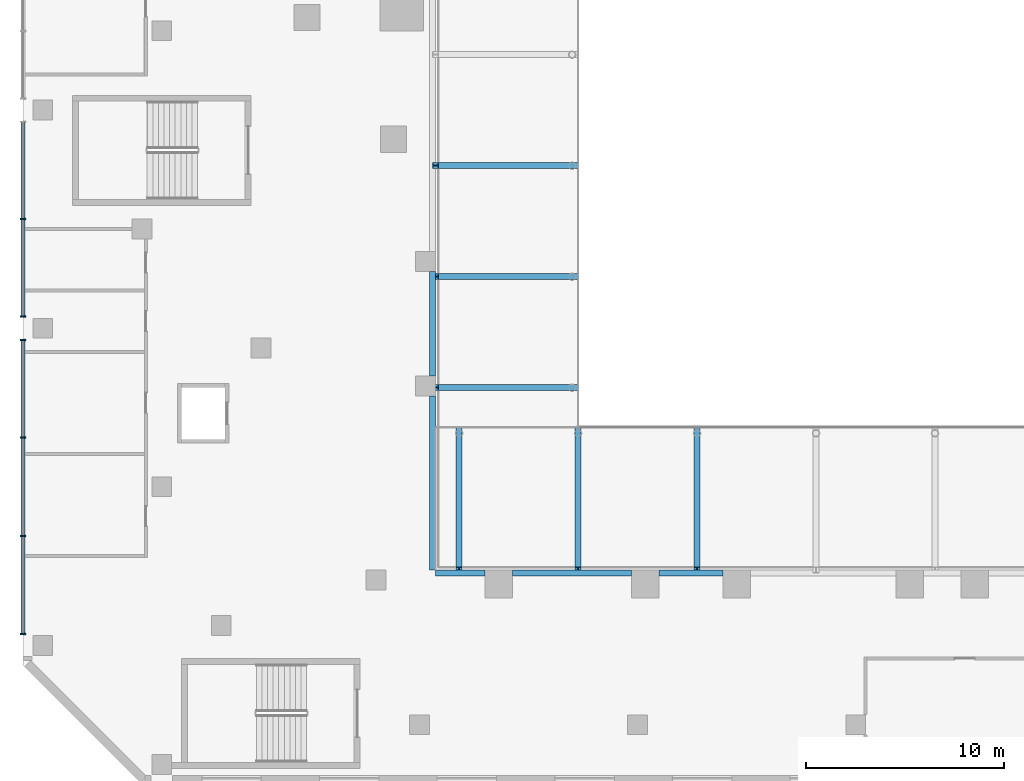
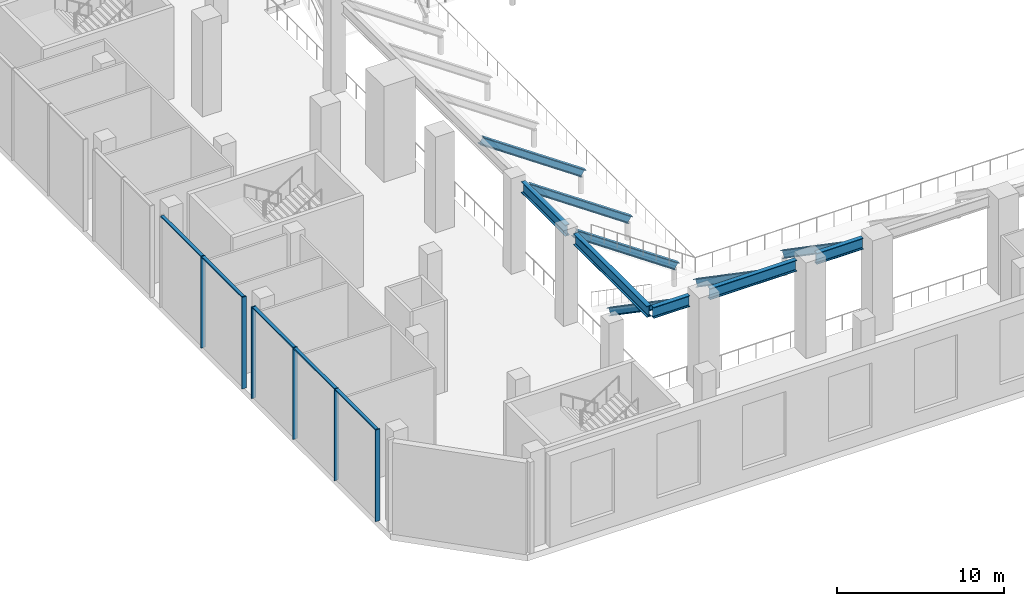
# One storey, part 9 of 41: 11 beams, 11 members, 2 elements without a shape of their own.
"""IFC4 building model written with IfcOpenShell, lengths in metres."""

from ifc_helpers import new_model, si_unit, direction, frame, origin, origin_2d, place, context, subcontext, project, spatial, rectangle, i_section, extrude, material, material_profile, profile_set, type_object, element, aggregate, save


model = new_model("IFC4")

# Units and contexts
model_context = context("Model", 3, precision=1e-05, world=origin(), true_north=direction((0.0, 1.0)))
body_context = subcontext(model_context, "Body", "Model", "MODEL_VIEW")
ifc_project = project(units=[si_unit("LENGTHUNIT", "METRE"), si_unit("AREAUNIT", "SQUARE_METRE"), si_unit("VOLUMEUNIT", "CUBIC_METRE"), si_unit("PLANEANGLEUNIT", "RADIAN"), si_unit("MASSUNIT", "GRAM", prefix="KILO")], contexts=[model_context])

# Site, building, storey
site_placement = place(None, origin())
site = spatial("IfcSite", under=ifc_project, at=site_placement, CompositionType="ELEMENT")
building_placement = place(site_placement, origin())
building = spatial("IfcBuilding", under=site, at=building_placement, Name="Wharfspan Tower", CompositionType="ELEMENT")
storey_placement = place(building_placement, frame((0.0, 0.0, 8.0)))
storey = spatial("IfcBuildingStorey", under=building, at=storey_placement, Name="L01", CompositionType="ELEMENT", Elevation=8.0)

# Curtain wall, members
ifc_material_1 = material(Name="Aluminium 6063-T6", Category="aluminium")
curtain_wall_type = type_object("IfcCurtainWallType", Name="CURTAIN WALL ARENA STICK WALL", PredefinedType="NOTDEFINED", material=ifc_material_1)
curtain_wall_1_placement = place(storey_placement, origin())
curtain_wall_1 = element("IfcCurtainWall", 1, at=curtain_wall_1_placement, inside=storey, type_object=curtain_wall_type, Name="Concourse stick wall PF12.6", PredefinedType="NOTDEFINED")
ifc_material_profile_1 = material_profile(ifc_material_1, rectangle(XDim=0.300049, YDim=0.070068, at=origin_2d()))
ifc_profile_set_1 = profile_set([ifc_material_profile_1], Name="Aluminium 6063-T6")
member_type_1 = type_object("IfcMemberType", Name="MULLION ARENA STICK WALL 70x300", PredefinedType="MULLION", material=ifc_profile_set_1)
member_1_placement = place(storey_placement, frame((-12.0, -3.5, 0.0), z_axis=(0.0, 0.0, 1.0), x_axis=(1.0, 0.0, 0.0)))
member_1 = element("IfcMember", 2, at=member_1_placement, type_object=member_type_1, Name="Concourse stick wall PF12.6 mullion 2", PredefinedType="MULLION", context=body_context, shape_type="SweptSolid", body=[
    extrude(rectangle(XDim=0.300049, YDim=0.070068, at=origin_2d()), origin(), (0.0, 0.0, 1.0), 6.699951),
])
member_2_placement = place(storey_placement, frame((-12.0, -8.415039, 0.0), z_axis=(0.0, 0.0, 1.0), x_axis=(1.0, 0.0, 0.0)))
member_2 = element("IfcMember", 3, at=member_2_placement, type_object=member_type_1, Name="Concourse stick wall PF12.6 mullion 3", PredefinedType="MULLION", context=body_context, shape_type="SweptSolid", body=[
    extrude(rectangle(XDim=0.300049, YDim=0.070068, at=origin_2d()), origin(), (0.0, 0.0, 1.0), 6.699951),
])

curtain_wall_2_placement = place(storey_placement, origin())
curtain_wall_2 = element("IfcCurtainWall", 4, at=curtain_wall_2_placement, inside=storey, type_object=curtain_wall_type, Name="Concourse stick wall PF12.7", PredefinedType="NOTDEFINED")
member_3_placement = place(storey_placement, frame((-12.0, -9.584961, 0.0), z_axis=(0.0, 0.0, 1.0), x_axis=(1.0, 0.0, 0.0)))
member_3 = element("IfcMember", 5, at=member_3_placement, type_object=member_type_1, Name="Concourse stick wall PF12.7 mullion 1", PredefinedType="MULLION", context=body_context, shape_type="SweptSolid", body=[
    extrude(rectangle(XDim=0.300049, YDim=0.070068, at=origin_2d()), origin(), (0.0, 0.0, 1.0), 6.699951),
])
member_4_placement = place(storey_placement, frame((-12.0, -14.516602, 0.0), z_axis=(0.0, 0.0, 1.0), x_axis=(1.0, 0.0, 0.0)))
member_4 = element("IfcMember", 6, at=member_4_placement, type_object=member_type_1, Name="Concourse stick wall PF12.7 mullion 2", PredefinedType="MULLION", context=body_context, shape_type="SweptSolid", body=[
    extrude(rectangle(XDim=0.300049, YDim=0.070068, at=origin_2d()), origin(), (0.0, 0.0, 1.0), 6.699951),
])
member_5_placement = place(storey_placement, frame((-12.0, -19.483398, 0.0), z_axis=(0.0, 0.0, 1.0), x_axis=(1.0, 0.0, 0.0)))
member_5 = element("IfcMember", 7, at=member_5_placement, type_object=member_type_1, Name="Concourse stick wall PF12.7 mullion 3", PredefinedType="MULLION", context=body_context, shape_type="SweptSolid", body=[
    extrude(rectangle(XDim=0.300049, YDim=0.070068, at=origin_2d()), origin(), (0.0, 0.0, 1.0), 6.699951),
])
member_6_placement = place(storey_placement, frame((-12.0, -24.415039, 0.0), z_axis=(0.0, 0.0, 1.0), x_axis=(1.0, 0.0, 0.0)))
member_6 = element("IfcMember", 8, at=member_6_placement, type_object=member_type_1, Name="Concourse stick wall PF12.7 mullion 4", PredefinedType="MULLION", context=body_context, shape_type="SweptSolid", body=[
    extrude(rectangle(XDim=0.300049, YDim=0.070068, at=origin_2d()), origin(), (0.0, 0.0, 1.0), 6.699951),
])

# Beams
ifc_material_2 = material(Name="Steel S460M", Category="steel")
ifc_material_profile_2 = material_profile(ifc_material_2, i_section(OverallWidth=0.305908, OverallDepth=0.523926, WebThickness=0.020996, FlangeThickness=0.040039, FilletRadius=0.0271, at=origin_2d()))
ifc_profile_set_2 = profile_set([ifc_material_profile_2], Name="Steel S460M")
beam_type_1 = type_object("IfcBeamType", Name="Raker beam HE 500 M", PredefinedType="BEAM", material=ifc_profile_set_2)
for number, where, z_axis, x_axis, name in (
    (9, (10.0, -14.148438, 1.384033), (0.0, -0.824029, 0.566547), (1.0, 0.0, 0.0), "Upper tier raker beam"),
    (10, (16.0, -14.148438, 1.384033), (0.0, -0.824029, 0.566547), (1.0, 0.0, 0.0), "Upper tier raker beam"),
    (11, (22.0, -14.148438, 1.384033), (0.0, -0.824029, 0.566547), (1.0, 0.0, 0.0), "Upper tier raker beam"),
    (12, (15.851562, -12.0, 1.384033), (-0.824029, 0.0, 0.566547), (0.0, -1.0, 0.0), "Upper tier raker beam"),
    (13, (15.851562, -6.399902, 1.384033), (-0.824029, 0.0, 0.566547), (0.0, -1.0, 0.0), "Upper tier raker beam"),
    (14, (15.851562, -0.800049, 1.384033), (-0.824029, 0.0, 0.566547), (0.0, -1.0, 0.0), "Upper tier raker beam"),
):
    element("IfcBeam", number, at=place(storey_placement, frame(where, z_axis=z_axis, x_axis=x_axis)), inside=storey, type_object=beam_type_1, Name=name, PredefinedType="BEAM", context=body_context, shape_type="SweptSolid", body=[
        extrude(i_section(OverallWidth=0.305908, OverallDepth=0.523926, WebThickness=0.020996, FlangeThickness=0.040039, FilletRadius=0.0271, at=origin_2d()), origin(), (0.0, 0.0, 1.0), 8.557373),
    ])
ifc_material_profile_3 = material_profile(ifc_material_2, i_section(OverallWidth=0.302979, OverallDepth=0.813965, WebThickness=0.020996, FlangeThickness=0.040039, FilletRadius=0.030029, at=origin_2d()))
ifc_profile_set_3 = profile_set([ifc_material_profile_3], Name="Steel S460M")
beam_type_2 = type_object("IfcBeamType", Name="Ring girder HE 800 M", PredefinedType="BEAM", material=ifc_profile_set_3)
beam_1_placement = place(storey_placement, frame((8.800049, -21.351562, 6.143066), z_axis=(1.0, 0.0, 0.0), x_axis=(0.0, 1.0, 0.0)))
element("IfcBeam", 15, at=beam_1_placement, inside=storey, type_object=beam_type_2, Name="Ring girder of the upper tier", PredefinedType="BEAM", context=body_context, shape_type="SweptSolid", body=[
    extrude(i_section(OverallWidth=0.302979, OverallDepth=0.813965, WebThickness=0.020996, FlangeThickness=0.040039, FilletRadius=0.030029, at=origin_2d()), origin(), (0.0, 0.0, 1.0), 2.5),
])
beam_2_placement = place(storey_placement, frame((12.699951, -21.351562, 6.143066), z_axis=(1.0, 0.0, 0.0), x_axis=(0.0, 1.0, 0.0)))
element("IfcBeam", 16, at=beam_2_placement, inside=storey, type_object=beam_type_2, Name="Ring girder of the upper tier", PredefinedType="BEAM", context=body_context, shape_type="SweptSolid", body=[
    extrude(i_section(OverallWidth=0.302979, OverallDepth=0.813965, WebThickness=0.020996, FlangeThickness=0.040039, FilletRadius=0.030029, at=origin_2d()), origin(), (0.0, 0.0, 1.0), 5.990967),
])
beam_3_placement = place(storey_placement, frame((20.091064, -21.351562, 6.143066), z_axis=(1.0, 0.0, 0.0), x_axis=(0.0, 1.0, 0.0)))
element("IfcBeam", 17, at=beam_3_placement, inside=storey, type_object=beam_type_2, Name="Ring girder of the upper tier", PredefinedType="BEAM", context=body_context, shape_type="SweptSolid", body=[
    extrude(i_section(OverallWidth=0.302979, OverallDepth=0.813965, WebThickness=0.020996, FlangeThickness=0.040039, FilletRadius=0.030029, at=origin_2d()), origin(), (0.0, 0.0, 1.0), 3.208984),
])
beam_4_placement = place(storey_placement, frame((8.648438, -21.199951, 6.143066), z_axis=(0.0, 1.0, 0.0), x_axis=(-1.0, 0.0, 0.0)))
element("IfcBeam", 18, at=beam_4_placement, inside=storey, type_object=beam_type_2, Name="Ring girder of the upper tier", PredefinedType="BEAM", context=body_context, shape_type="SweptSolid", body=[
    extrude(i_section(OverallWidth=0.302979, OverallDepth=0.813965, WebThickness=0.020996, FlangeThickness=0.040039, FilletRadius=0.030029, at=origin_2d()), origin(), (0.0, 0.0, 1.0), 8.780029),
])
beam_5_placement = place(storey_placement, frame((8.648438, -11.419922, 6.143066), z_axis=(0.0, 1.0, 0.0), x_axis=(-1.0, 0.0, 0.0)))
element("IfcBeam", 19, at=beam_5_placement, inside=storey, type_object=beam_type_2, Name="Ring girder of the upper tier", PredefinedType="BEAM", context=body_context, shape_type="SweptSolid", body=[
    extrude(i_section(OverallWidth=0.302979, OverallDepth=0.813965, WebThickness=0.020996, FlangeThickness=0.040039, FilletRadius=0.030029, at=origin_2d()), origin(), (0.0, 0.0, 1.0), 5.280029),
])

# Member
ifc_material_profile_4 = material_profile(ifc_material_1, rectangle(XDim=0.219971, YDim=0.090088, at=origin_2d()))
ifc_profile_set_4 = profile_set([ifc_material_profile_4], Name="Aluminium 6063-T6")
member_type_2 = type_object("IfcMemberType", Name="TRANSOM ARENA STICK WALL 90x220", PredefinedType="USERDEFINED", material=ifc_profile_set_4)
member_7_placement = place(storey_placement, frame((-12.0, 1.379883, 6.655029), z_axis=(0.0, -1.0, 0.0), x_axis=(1.0, 0.0, 0.0)))
member_7 = element("IfcMember", 20, at=member_7_placement, type_object=member_type_2, Name="Concourse stick wall PF12.6 transom 1", ObjectType="TRANSOM", PredefinedType="USERDEFINED", context=body_context, shape_type="SweptSolid", body=[
    extrude(rectangle(XDim=0.219971, YDim=0.090088, at=origin_2d()), origin(), (0.0, 0.0, 1.0), 4.844971),
])

member_8_placement = place(storey_placement, frame((-12.0, -3.534912, 6.655029), z_axis=(0.0, -1.0, 0.0), x_axis=(1.0, 0.0, 0.0)))
member_8 = element("IfcMember", 21, at=member_8_placement, type_object=member_type_2, Name="Concourse stick wall PF12.6 transom 2", ObjectType="TRANSOM", PredefinedType="USERDEFINED", context=body_context, shape_type="SweptSolid", body=[
    extrude(rectangle(XDim=0.219971, YDim=0.090088, at=origin_2d()), origin(), (0.0, 0.0, 1.0), 4.844971),
])

aggregate(curtain_wall_1, [member_1, member_2, member_7, member_8])

member_9_placement = place(storey_placement, frame((-12.0, -9.620117, 6.655029), z_axis=(0.0, -1.0, 0.0), x_axis=(1.0, 0.0, 0.0)))
member_9 = element("IfcMember", 22, at=member_9_placement, type_object=member_type_2, Name="Concourse stick wall PF12.7 transom 1", ObjectType="TRANSOM", PredefinedType="USERDEFINED", context=body_context, shape_type="SweptSolid", body=[
    extrude(rectangle(XDim=0.219971, YDim=0.090088, at=origin_2d()), origin(), (0.0, 0.0, 1.0), 4.861572),
])

member_10_placement = place(storey_placement, frame((-12.0, -14.551758, 6.655029), z_axis=(0.0, -1.0, 0.0), x_axis=(1.0, 0.0, 0.0)))
member_10 = element("IfcMember", 23, at=member_10_placement, type_object=member_type_2, Name="Concourse stick wall PF12.7 transom 2", ObjectType="TRANSOM", PredefinedType="USERDEFINED", context=body_context, shape_type="SweptSolid", body=[
    extrude(rectangle(XDim=0.219971, YDim=0.090088, at=origin_2d()), origin(), (0.0, 0.0, 1.0), 4.896484),
])

member_11_placement = place(storey_placement, frame((-12.0, -19.518311, 6.655029), z_axis=(0.0, -1.0, 0.0), x_axis=(1.0, 0.0, 0.0)))
member_11 = element("IfcMember", 24, at=member_11_placement, type_object=member_type_2, Name="Concourse stick wall PF12.7 transom 3", ObjectType="TRANSOM", PredefinedType="USERDEFINED", context=body_context, shape_type="SweptSolid", body=[
    extrude(rectangle(XDim=0.219971, YDim=0.090088, at=origin_2d()), origin(), (0.0, 0.0, 1.0), 4.861572),
])

aggregate(curtain_wall_2, [member_3, member_4, member_5, member_6, member_9, member_10, member_11])

save(model, "model.ifc")
